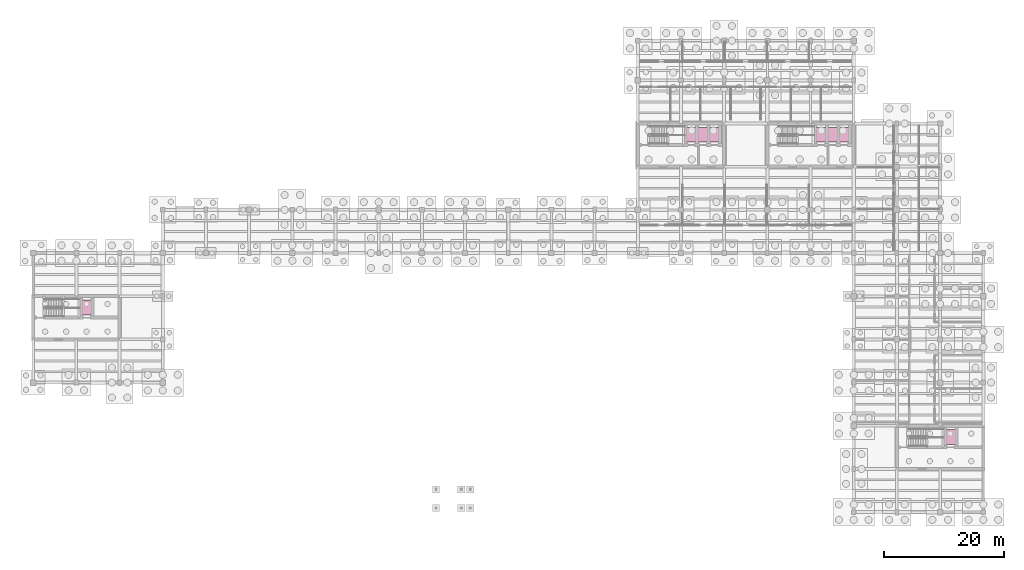
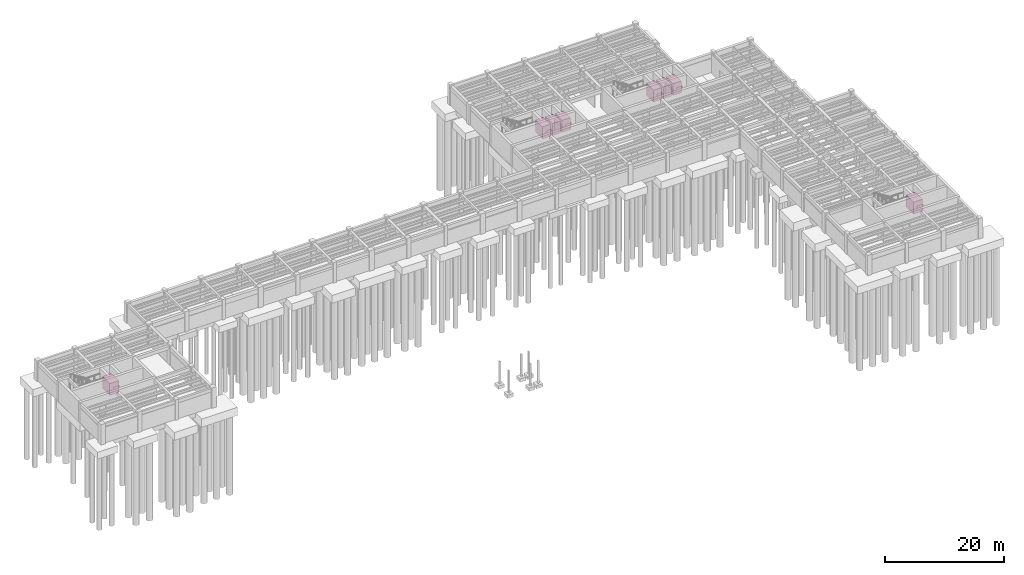
# One storey, part 22 of 22: 8 transport elements.
"""IFC4 building model written with IfcOpenShell, lengths in metres."""

from ifc_helpers import new_model, si_unit, direction, frame, origin, origin_2d, place, context, subcontext, project, spatial, rectangle, extrude, material, type_object, element, save


model = new_model("IFC4")

# Units and contexts
model_context = context("Model", 3, precision=1e-05, world=origin(), true_north=direction((0.0, 1.0)))
body_context = subcontext(model_context, "Body", "Model", "MODEL_VIEW")
ifc_project = project(units=[si_unit("LENGTHUNIT", "METRE"), si_unit("AREAUNIT", "SQUARE_METRE"), si_unit("VOLUMEUNIT", "CUBIC_METRE"), si_unit("PLANEANGLEUNIT", "RADIAN"), si_unit("MASSUNIT", "GRAM", prefix="KILO")], contexts=[model_context])

# Site, building, storey
site_placement = place(None, origin())
site = spatial("IfcSite", under=ifc_project, at=site_placement, CompositionType="ELEMENT")
building_placement = place(site_placement, origin())
building = spatial("IfcBuilding", under=site, at=building_placement, Name="Mithqara Police Headquarters", CompositionType="ELEMENT")
storey_placement = place(building_placement, frame((0.0, 0.0, -8.39990234375)))
storey = spatial("IfcBuildingStorey", under=building, at=storey_placement, Name="B2", CompositionType="ELEMENT", Elevation=-8.39990234375)

# Transport elements
ifc_material = material(Name="Steel S355JR", Category="steel")
transport_element_type_1 = type_object("IfcTransportElementType", Name="LIFT CUST 1800X2500", PredefinedType="ELEVATOR", material=ifc_material)
for number, where, z_axis, x_axis, name in (
    (1, (16.739990234375, 69.52490234375, 0.14990234375), (0.0, 0.0, 1.0), (1.0, 0.0, 0.0), "Passenger Lift LP-05"),
    (2, (160.739990234375, 47.925048828125, 0.14990234375), (0.0, 0.0, 1.0), (1.0, 0.0, 0.0), "Passenger Lift LP-06"),
):
    element("IfcTransportElement", number, at=place(storey_placement, frame(where, z_axis=z_axis, x_axis=x_axis)), inside=storey, type_object=transport_element_type_1, Name=name, PredefinedType="ELEVATOR", context=body_context, shape_type="SweptSolid", body=[
        extrude(rectangle(XDim=1.800048828125, YDim=2.5, at=origin_2d()), origin(), (0.0, 0.0, 1.0), 2.449951171875),
    ])
transport_element_type_2 = type_object("IfcTransportElementType", Name="LIFT FF 1600X2400", PredefinedType="ELEVATOR", material=ifc_material)
for number, where, z_axis, x_axis, name in (
    (3, (117.5400390625, 98.324951171875, 0.14990234375), (0.0, 0.0, 1.0), (1.0, 0.0, 0.0), "Firefighting Lift FL-01"),
    (4, (139.139892578125, 98.324951171875, 0.14990234375), (0.0, 0.0, 1.0), (1.0, 0.0, 0.0), "Firefighting Lift FL-02"),
):
    element("IfcTransportElement", number, at=place(storey_placement, frame(where, z_axis=z_axis, x_axis=x_axis)), inside=storey, type_object=transport_element_type_2, Name=name, PredefinedType="ELEVATOR", context=body_context, shape_type="SweptSolid", body=[
        extrude(rectangle(XDim=1.60009765625, YDim=2.39990234375, at=origin_2d()), origin(), (0.0, 0.0, 1.0), 2.449951171875),
    ])
transport_element_type_3 = type_object("IfcTransportElementType", Name="LIFT PASS 1600X2400", PredefinedType="ELEVATOR", material=ifc_material)
for number, where, z_axis, x_axis, name in (
    (5, (119.4599609375, 98.324951171875, 0.14990234375), (0.0, 0.0, 1.0), (1.0, 0.0, 0.0), "Passenger Lift LP-01"),
    (6, (121.3798828125, 98.324951171875, 0.14990234375), (0.0, 0.0, 1.0), (1.0, 0.0, 0.0), "Passenger Lift LP-02"),
    (7, (141.06005859375, 98.324951171875, 0.14990234375), (0.0, 0.0, 1.0), (1.0, 0.0, 0.0), "Passenger Lift LP-03"),
    (8, (142.97998046875, 98.324951171875, 0.14990234375), (0.0, 0.0, 1.0), (1.0, 0.0, 0.0), "Passenger Lift LP-04"),
):
    element("IfcTransportElement", number, at=place(storey_placement, frame(where, z_axis=z_axis, x_axis=x_axis)), inside=storey, type_object=transport_element_type_3, Name=name, PredefinedType="ELEVATOR", context=body_context, shape_type="SweptSolid", body=[
        extrude(rectangle(XDim=1.60009765625, YDim=2.39990234375, at=origin_2d()), origin(), (0.0, 0.0, 1.0), 2.449951171875),
    ])

save(model, "model.ifc")
